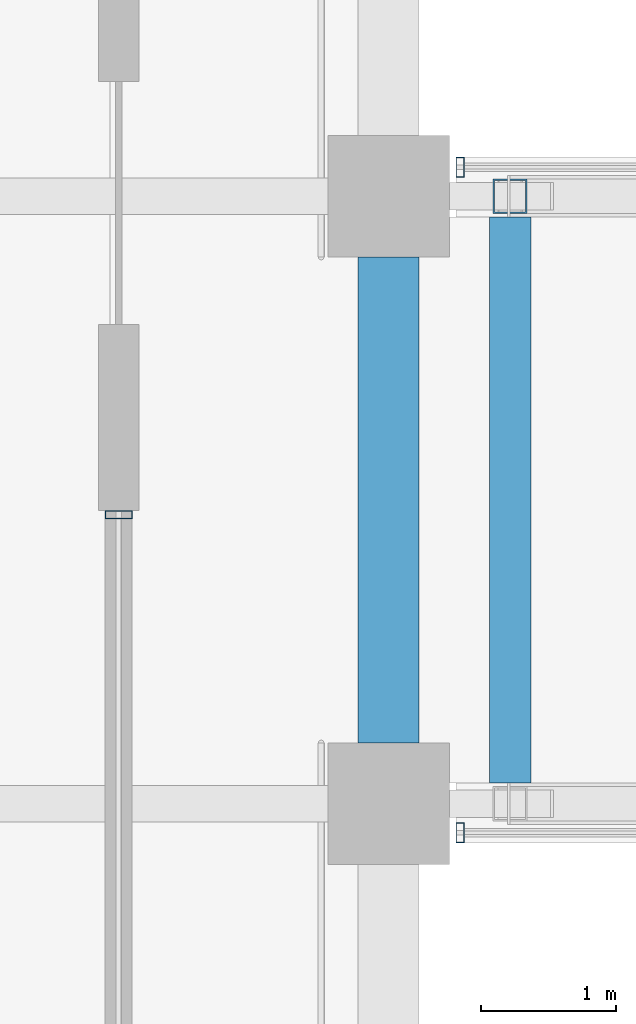
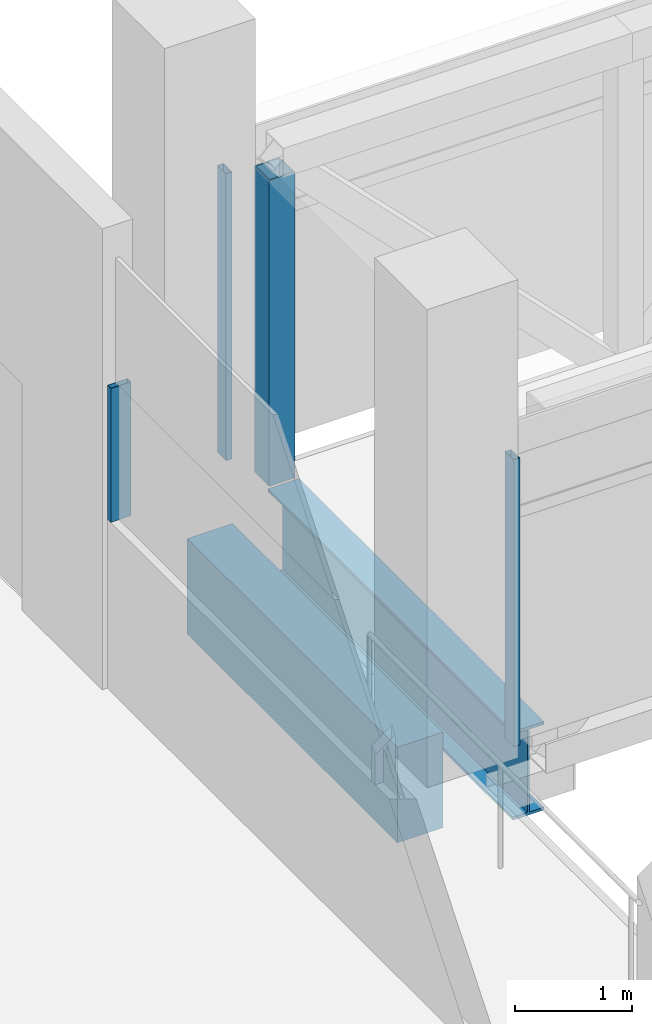
# One storey, part 11 of 34: 4 members, 2 beams, 3 elements without a shape of their own.
"""IFC4 building model written with IfcOpenShell, lengths in metres."""

from ifc_helpers import new_model, si_unit, direction, frame, origin, origin_2d, place, context, subcontext, project, spatial, rectangle, hollow_rectangle, i_section, extrude, material, material_profile, profile_set, type_object, element, aggregate, save


model = new_model("IFC4")

# Units and contexts
model_context = context("Model", 3, precision=1e-05, world=origin(), true_north=direction((0.0, 1.0)))
body_context = subcontext(model_context, "Body", "Model", "MODEL_VIEW")
ifc_project = project(units=[si_unit("LENGTHUNIT", "METRE"), si_unit("AREAUNIT", "SQUARE_METRE"), si_unit("VOLUMEUNIT", "CUBIC_METRE"), si_unit("PLANEANGLEUNIT", "RADIAN"), si_unit("MASSUNIT", "GRAM", prefix="KILO")], contexts=[model_context])

# Site, building, storey
site_placement = place(None, origin())
site = spatial("IfcSite", under=ifc_project, at=site_placement, CompositionType="ELEMENT")
building_placement = place(site_placement, origin())
building = spatial("IfcBuilding", under=site, at=building_placement, Name="Altepetl Exchange Towers", CompositionType="ELEMENT")
storey_placement = place(building_placement, frame((0.0, 0.0, 190.60009765625)))
storey = spatial("IfcBuildingStorey", under=building, at=storey_placement, Name="L48 Refuge", CompositionType="ELEMENT", Elevation=190.60009765625)

# Beam
ifc_material_1 = material(Name="Steel S355", Category="steel")
ifc_material_profile_1 = material_profile(ifc_material_1, i_section(OverallWidth=0.306884765625, OverallDepth=0.923095703125, WebThickness=0.018310546875, FlangeThickness=0.030029296875, at=origin_2d()), Name="W36X182")
ifc_profile_set_1 = profile_set([ifc_material_profile_1], Name="Steel S355")
beam_type_1 = type_object("IfcBeamType", Name="Bridge deck beam W36X182", PredefinedType="BEAM", material=ifc_profile_set_1)
beam_1_placement = place(storey_placement, frame((72.89990234375, 45.152587890625, -0.66162109375), z_axis=(0.0, 1.0, 0.0), x_axis=(-1.0, 0.0, 0.0)))
element("IfcBeam", 1, at=beam_1_placement, inside=storey, type_object=beam_type_1, Name="bm:X:L48:eg-a", PredefinedType="BEAM", context=body_context, shape_type="SweptSolid", body=[
    extrude(i_section(OverallWidth=0.306884765625, OverallDepth=0.923095703125, WebThickness=0.018310546875, FlangeThickness=0.030029296875, at=origin_2d()), origin(), (0.0, 0.0, 1.0), 4.19482421875),
])

# Member
ifc_material_profile_2 = material_profile(ifc_material_1, hollow_rectangle(XDim=0.25390625, YDim=0.25390625, WallThickness=0.01171875, at=origin_2d()), Name="HSS254X254X12.7")
ifc_profile_set_2 = profile_set([ifc_material_profile_2], Name="Steel S355")
member_type_1 = type_object("IfcMemberType", Name="Bridge post HSS254X254X12.7", PredefinedType="POST", material=ifc_profile_set_2)
member_1_placement = place(storey_placement, frame((72.89990234375, 49.5, -0.2001953125)))
element("IfcMember", 2, at=member_1_placement, inside=storey, type_object=member_type_1, Name="tr:X:L48:ps-n0", PredefinedType="POST", context=body_context, shape_type="SweptSolid", body=[
    extrude(hollow_rectangle(XDim=0.25390625, YDim=0.25390625, WallThickness=0.01171875, at=origin_2d()), origin(), (0.0, 0.0, 1.0), 3.2001953125),
])

# Curtain wall, member
ifc_material_2 = material(Name="Aluminium 6063-T6 glazing", Category="aluminium")
curtain_wall_type_1 = type_object("IfcCurtainWallType", Name="Bridge enclosure system", PredefinedType="NOTDEFINED", material=ifc_material_2)
curtain_wall_1_placement = place(storey_placement, origin())
curtain_wall_1 = element("IfcCurtainWall", 3, at=curtain_wall_1_placement, inside=storey, type_object=curtain_wall_type_1, Name="CW6 run", PredefinedType="NOTDEFINED")
ifc_material_3 = material(Name="Aluminium 6063-T6", Category="aluminium")
ifc_material_profile_3 = material_profile(ifc_material_3, hollow_rectangle(XDim=0.06005859375, YDim=0.14990234375, WallThickness=0.0029296875, at=origin_2d()), Name="Mullion 60x150 aluminium")
ifc_profile_set_3 = profile_set([ifc_material_profile_3], Name="Aluminium 6063-T6")
member_type_2 = type_object("IfcMemberType", Name="Mullion 60x150 aluminium", PredefinedType="MULLION", material=ifc_profile_set_3)
member_2_placement = place(storey_placement, frame((72.530029296875, 44.784912109375, 0.0)))
member_2 = element("IfcMember", 4, at=member_2_placement, type_object=member_type_2, Name="MU1 mullion", PredefinedType="MULLION", context=body_context, shape_type="SweptSolid", body=[
    extrude(hollow_rectangle(XDim=0.06005859375, YDim=0.14990234375, WallThickness=0.0029296875, at=origin_2d()), origin(), (0.0, 0.0, 1.0), 3.0),
])
aggregate(curtain_wall_1, [member_2])

curtain_wall_2_placement = place(storey_placement, origin())
curtain_wall_2 = element("IfcCurtainWall", 5, at=curtain_wall_2_placement, inside=storey, type_object=curtain_wall_type_1, Name="CW6 run", PredefinedType="NOTDEFINED")
member_3_placement = place(storey_placement, frame((72.530029296875, 49.715087890625, 0.0)))
member_3 = element("IfcMember", 6, at=member_3_placement, type_object=member_type_2, Name="MU1 mullion", PredefinedType="MULLION", context=body_context, shape_type="SweptSolid", body=[
    extrude(hollow_rectangle(XDim=0.06005859375, YDim=0.14990234375, WallThickness=0.0029296875, at=origin_2d()), origin(), (0.0, 0.0, 1.0), 3.0),
])
aggregate(curtain_wall_2, [member_3])

curtain_wall_type_2 = type_object("IfcCurtainWallType", Name="Refuge slit glazing system", PredefinedType="NOTDEFINED", material=ifc_material_2)
curtain_wall_3_placement = place(storey_placement, origin())
curtain_wall_3 = element("IfcCurtainWall", 7, at=curtain_wall_3_placement, inside=storey, type_object=curtain_wall_type_2, Name="CW3 run", PredefinedType="NOTDEFINED")
ifc_material_profile_4 = material_profile(ifc_material_3, hollow_rectangle(XDim=0.06005859375, YDim=0.199951171875, WallThickness=0.0029296875, at=origin_2d()), Name="Mullion 60x200 aluminium")
ifc_profile_set_4 = profile_set([ifc_material_profile_4], Name="Aluminium 6063-T6")
member_type_3 = type_object("IfcMemberType", Name="Mullion 60x200 aluminium", PredefinedType="MULLION", material=ifc_profile_set_4)
member_4_placement = place(storey_placement, frame((70.0, 47.141357421875, 1.7998046875), z_axis=(0.0, 0.0, 1.0), x_axis=(0.0, 1.0, 0.0)))
member_4 = element("IfcMember", 8, at=member_4_placement, type_object=member_type_3, Name="MU2 mullion", PredefinedType="MULLION", context=body_context, shape_type="SweptSolid", body=[
    extrude(hollow_rectangle(XDim=0.06005859375, YDim=0.199951171875, WallThickness=0.0029296875, at=origin_2d()), origin(), (0.0, 0.0, 1.0), 1.400146484375),
])
aggregate(curtain_wall_3, [member_4])

# Beam
ifc_material_4 = material(Name="Concrete C50/60 precast with cantera amarilla facing", Category="concrete")
ifc_material_profile_5 = material_profile(ifc_material_4, rectangle(XDim=0.449951171875, YDim=1.0, at=origin_2d()), Name="450 x 1000")
ifc_profile_set_5 = profile_set([ifc_material_profile_5], Name="Concrete C50/60 precast with cantera amarilla facing")
beam_type_2 = type_object("IfcBeamType", Name="Spandrel beam 450x1000 cantera amarilla", PredefinedType="SPANDREL", material=ifc_profile_set_5)
beam_2_placement = place(storey_placement, frame((72.0, 45.449951171875, -0.7001953125), z_axis=(0.0, 1.0, 0.0), x_axis=(-1.0, 0.0, 0.0)))
element("IfcBeam", 9, at=beam_2_placement, inside=storey, type_object=beam_type_2, Name="sp:A:L48:015", PredefinedType="SPANDREL", context=body_context, shape_type="SweptSolid", body=[
    extrude(rectangle(XDim=0.449951171875, YDim=1.0, at=origin_2d()), origin(), (0.0, 0.0, 1.0), 3.60009765625),
])

save(model, "model.ifc")
